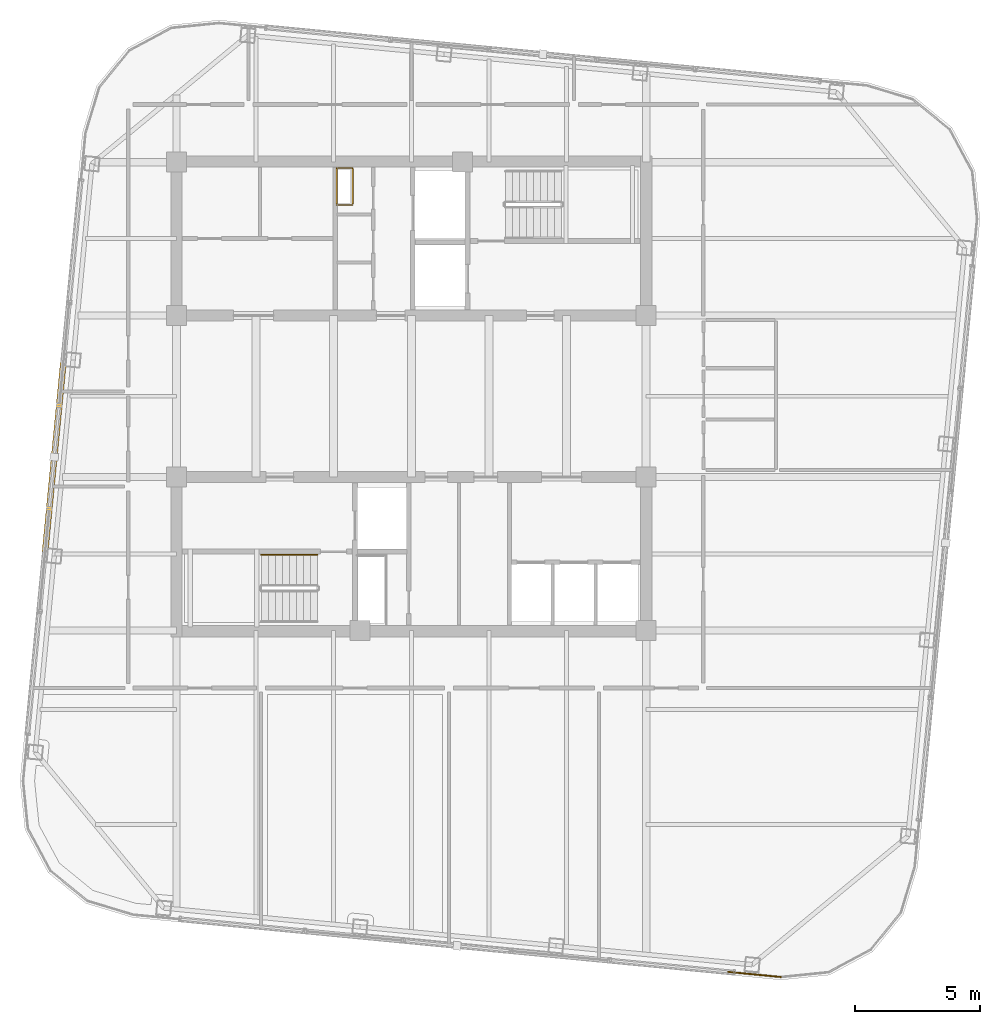
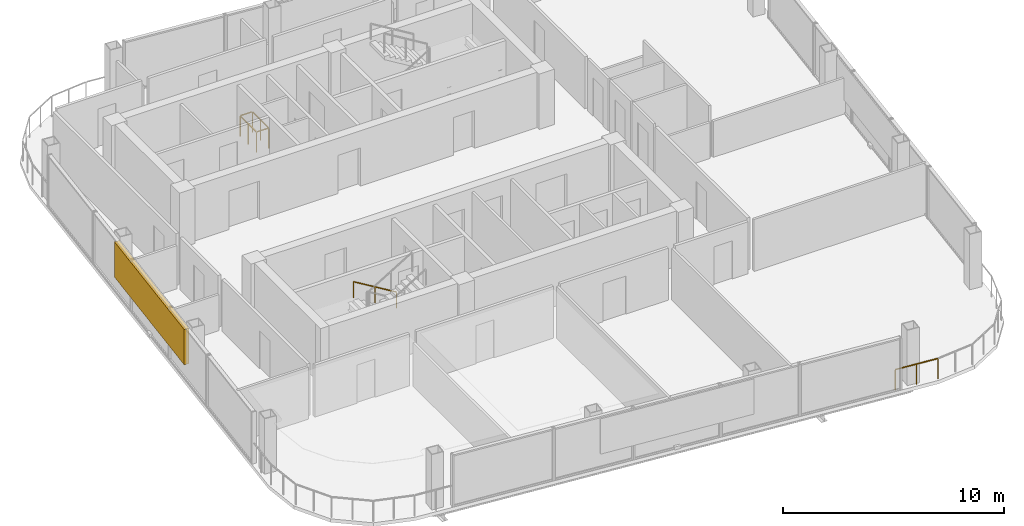
# One storey, part 21 of 23: 3 railings, 1 shading device.
"""IFC4 building model written with IfcOpenShell, lengths in metres."""

from ifc_helpers import new_model, si_unit, direction, frame, origin, origin_2d, place, context, subcontext, project, spatial, rectangle, extrude, material, type_object, element, save


model = new_model("IFC4")

# Units and contexts
model_context = context("Model", 3, precision=1e-05, world=origin(), true_north=direction((0.0, 1.0)))
body_context = subcontext(model_context, "Body", "Model", "MODEL_VIEW")
ifc_project = project(units=[si_unit("LENGTHUNIT", "METRE"), si_unit("AREAUNIT", "SQUARE_METRE"), si_unit("VOLUMEUNIT", "CUBIC_METRE"), si_unit("PLANEANGLEUNIT", "RADIAN"), si_unit("MASSUNIT", "GRAM", prefix="KILO")], contexts=[model_context])

# Site, building, storey
site_placement = place(None, origin())
site = spatial("IfcSite", under=ifc_project, at=site_placement, CompositionType="ELEMENT")
building_placement = place(site_placement, origin())
building = spatial("IfcBuilding", under=site, at=building_placement, Name="Qhalaya Broadcast Tower", CompositionType="ELEMENT")
storey_placement = place(building_placement, frame((0.0, 0.0, 264.199951171875)))
storey = spatial("IfcBuildingStorey", under=building, at=storey_placement, Name="L78", CompositionType="ELEMENT", Elevation=264.199951171875)

# Railings
ifc_material_1 = material(Name="Powder-Coated Galvanised Steel", Category="steel")
railing_type_1 = type_object("IfcRailingType", Name="Stair Wall Handrail 900", PredefinedType="HANDRAIL", material=ifc_material_1)
railing_1_placement = place(storey_placement, frame((-3.75, -5.72998046875, 0.16943359375)))
element("IfcRailing", 1, at=railing_1_placement, inside=storey, type_object=railing_type_1, Name="L78 ST-2 Stair Handrail 1", PredefinedType="HANDRAIL", context=body_context, shape_type="SweptSolid", body=[
    extrude(rectangle(XDim=0.048095703125, YDim=0.048095703125, at=origin_2d()), frame((0.0, 0.0, 0.8759765625), z_axis=(-0.855512035549, 0.0, 0.517782924622), x_axis=(0.0, -1.0, 0.0)), (0.0, 0.0, 1.0), 2.618408203125),
    extrude(rectangle(XDim=0.0419921875, YDim=0.0419921875, at=origin_2d()), origin(), (0.0, 0.0, 1.0), 0.849853515625),
    extrude(rectangle(XDim=0.0419921875, YDim=0.0419921875, at=origin_2d()), frame((-1.1201171875, 0.0, 0.677734375)), (0.0, 0.0, 1.0), 0.849853515625),
    extrude(rectangle(XDim=0.0419921875, YDim=0.0419921875, at=origin_2d()), frame((-2.239990234375, 0.0, 1.355712890625)), (0.0, 0.0, 1.0), 0.849853515625),
])
railing_type_2 = type_object("IfcRailingType", Name="Stair Well & Landing Guardrail 1100", PredefinedType="GUARDRAIL", material=ifc_material_1)
railing_2_placement = place(storey_placement, frame((-2.340087890625, 8.239990234375, 0.0)))
element("IfcRailing", 2, at=railing_2_placement, inside=storey, type_object=railing_type_2, Name="L78 Service Riser Opening Safety Guard NRSR", PredefinedType="GUARDRAIL", context=body_context, shape_type="SweptSolid", body=[
    extrude(rectangle(XDim=0.048095703125, YDim=0.048095703125, at=origin_2d()), frame((0.0, 0.02880859375, 1.1259765625), z_axis=(0.0, 1.0, 0.0), x_axis=(-1.0, 0.0, 0.0)), (0.0, 0.0, 1.0), 1.42236328125),
    extrude(rectangle(XDim=0.048095703125, YDim=0.048095703125, at=origin_2d()), frame((-0.02880859375, 1.47998046875, 1.1259765625), z_axis=(-1.0, 0.0, 0.0), x_axis=(0.0, -1.0, 0.0)), (0.0, 0.0, 1.0), 0.582275390625),
    extrude(rectangle(XDim=0.048095703125, YDim=0.048095703125, at=origin_2d()), frame((-0.639892578125, 1.451171875, 1.1259765625), z_axis=(0.0, -1.0, 0.0), x_axis=(1.0, 0.0, 0.0)), (0.0, 0.0, 1.0), 1.42236328125),
    extrude(rectangle(XDim=0.048095703125, YDim=0.048095703125, at=origin_2d()), frame((-0.611083984375, 0.0, 1.1259765625), z_axis=(1.0, 0.0, 0.0), x_axis=(0.0, 1.0, 0.0)), (0.0, 0.0, 1.0), 0.582275390625),
    extrude(rectangle(XDim=0.0419921875, YDim=0.0419921875, at=origin_2d()), origin(), (0.0, 0.0, 1.0), 1.099853515625),
    extrude(rectangle(XDim=0.0419921875, YDim=0.0419921875, at=origin_2d()), frame((0.0, 0.739990234375, 0.0)), (0.0, 0.0, 1.0), 1.099853515625),
    extrude(rectangle(XDim=0.0419921875, YDim=0.0419921875, at=origin_2d()), frame((0.0, 1.47998046875, 0.0)), (0.0, 0.0, 1.0), 1.099853515625),
    extrude(rectangle(XDim=0.0419921875, YDim=0.0419921875, at=origin_2d()), frame((-0.639892578125, 1.47998046875, 0.0)), (0.0, 0.0, 1.0), 1.099853515625),
    extrude(rectangle(XDim=0.0419921875, YDim=0.0419921875, at=origin_2d()), frame((-0.639892578125, 0.739990234375, 0.0)), (0.0, 0.0, 1.0), 1.099853515625),
    extrude(rectangle(XDim=0.0419921875, YDim=0.0419921875, at=origin_2d()), frame((-0.639892578125, 0.0, 0.0)), (0.0, 0.0, 1.0), 1.099853515625),
])
railing_type_3 = type_object("IfcRailingType", Name="Terrace, Sky-Pool & Lookout Glass Balustrade 1150", PredefinedType="BALUSTRADE", material=ifc_material_1)
railing_3_placement = place(storey_placement, frame((14.754638671875, -22.58251953125, 0.0)))
element("IfcRailing", 3, at=railing_3_placement, inside=storey, type_object=railing_type_3, Name="L78 Rounded Corner Perimeter Guard 01", PredefinedType="BALUSTRADE", context=body_context, shape_type="SweptSolid", body=[
    extrude(rectangle(XDim=0.048095703125, YDim=0.048095703125, at=origin_2d()), frame((0.0, 0.0, 1.1259765625), z_axis=(-0.995391273094, 0.095896889673, 0.0), x_axis=(-0.095896889673, -0.995391273094, 0.0)), (0.0, 0.0, 1.0), 2.1181640625),
    extrude(rectangle(XDim=0.0419921875, YDim=0.0419921875, at=origin_2d()), origin(), (0.0, 0.0, 1.0), 1.099853515625),
    extrude(rectangle(XDim=0.0419921875, YDim=0.0419921875, at=origin_2d()), frame((-1.05419921875, 0.1015625, 0.0)), (0.0, 0.0, 1.0), 1.099853515625),
    extrude(rectangle(XDim=0.0419921875, YDim=0.0419921875, at=origin_2d()), frame((-2.1083984375, 0.203125, 0.0)), (0.0, 0.0, 1.0), 1.099853515625),
])

# Shading device
ifc_material_2 = material(Name="Fired Architectural Terracotta", Category="masonry")
shading_device_type = type_object("IfcShadingDeviceType", Name="Terracotta Baguette Solar Screen Assembly TBS-01", PredefinedType="USERDEFINED", material=ifc_material_2)
shading_device_placement = place(storey_placement, frame((-14.2578125, -1.826171875, 0.80078125), z_axis=(0.0, 0.0, 1.0), x_axis=(-0.09584575252, -0.995396198367, 0.0)))
element("IfcShadingDevice", 4, at=shading_device_placement, inside=storey, type_object=shading_device_type, Name="L78 Fired Terracotta Baguette Screen W", ObjectType="BAGUETTE", PredefinedType="USERDEFINED", context=body_context, shape_type="SweptSolid", body=[
    extrude(rectangle(XDim=7.60009765625, YDim=0.239990234375, at=origin_2d()), origin(), (0.0, 0.0, 1.0), 1.945068359375),
])

save(model, "model.ifc")
